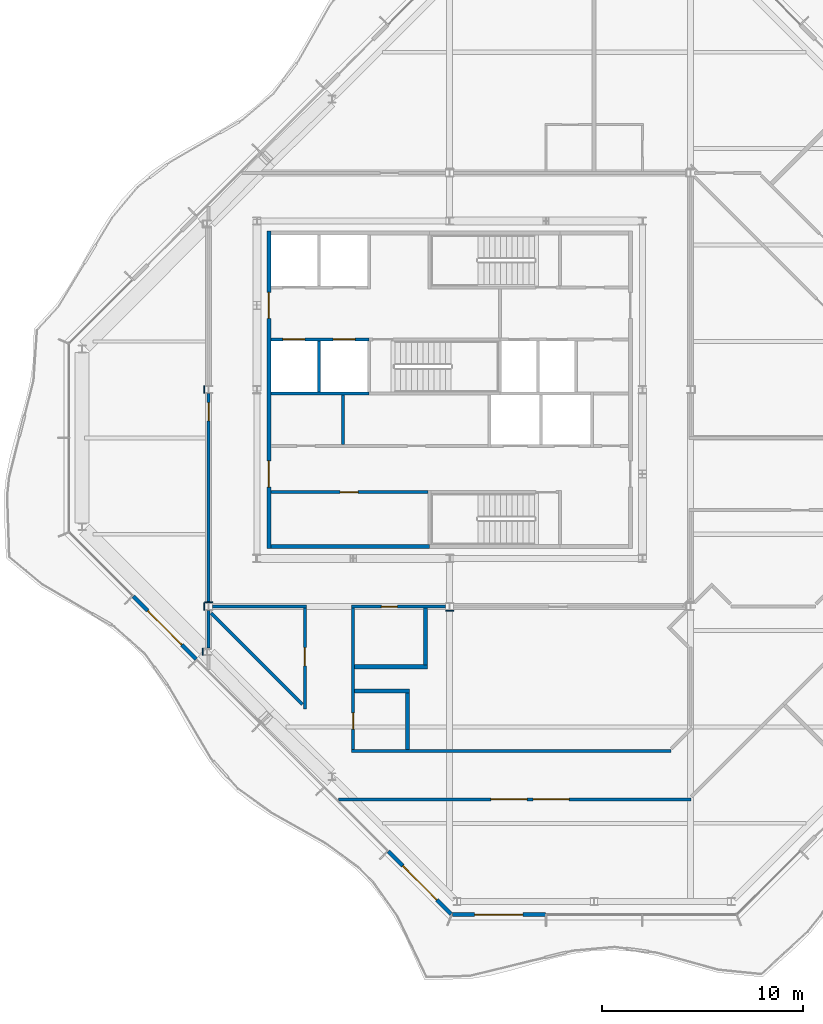
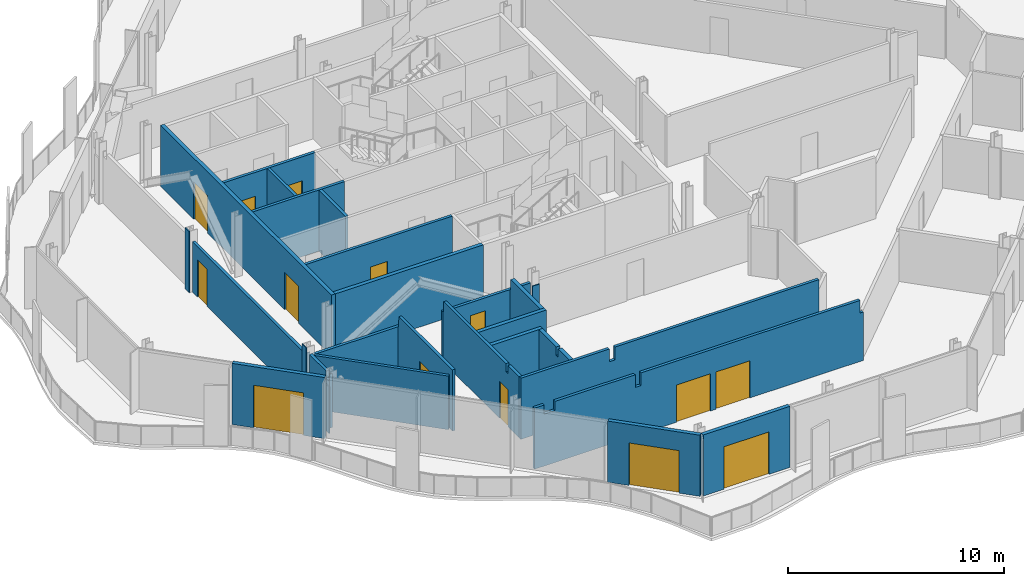
# One storey, part 7 of 16: 28 walls, 14 doors, 14 openings.
"""IFC4 building model written with IfcOpenShell, lengths in metres."""

from ifc_helpers import new_model, si_unit, direction, frame, frame_2d, origin, place, context, subcontext, project, spatial, polyline, rectangle, outline, extrude, material, layer, layer_set, type_object, element, fill, save


model = new_model("IFC4")

# Units and contexts
model_context = context("Model", 3, precision=1e-05, world=origin(), true_north=direction((0.0, 1.0)))
body_context = subcontext(model_context, "Body", "Model", "MODEL_VIEW")
ifc_project = project(units=[si_unit("LENGTHUNIT", "METRE"), si_unit("AREAUNIT", "SQUARE_METRE"), si_unit("VOLUMEUNIT", "CUBIC_METRE"), si_unit("PLANEANGLEUNIT", "RADIAN"), si_unit("MASSUNIT", "GRAM", prefix="KILO")], contexts=[model_context])

# Site, building, storey
site_placement = place(None, origin())
site = spatial("IfcSite", under=ifc_project, at=site_placement, CompositionType="ELEMENT")
building_placement = place(site_placement, origin())
building = spatial("IfcBuilding", under=site, at=building_placement, Name="Cairn Pilgrim Tower", CompositionType="ELEMENT")
storey_placement = place(building_placement, frame((0.0, 0.0, 288.60009765625)))
storey = spatial("IfcBuildingStorey", under=building, at=storey_placement, Name="L74", CompositionType="ELEMENT", Elevation=288.60009765625)

# Wall, opening, door
ifc_material_1 = material(Name="Bronze anodised aluminium insulated sandwich panel with mineral wool fill", Category="aluminium")
ifc_layer_1 = layer(ifc_material_1, 0.199951171875)
ifc_layer_set_1 = layer_set([ifc_layer_1], Name="BRONZE INFILL FRAME WALL 200")
wall_type_1 = type_object("IfcWallType", Name="BRONZE INFILL FRAME WALL 200", PredefinedType="NOTDEFINED", material=ifc_layer_set_1)
wall_1_placement = place(storey_placement, frame((7.343505859375, -23.75, 0.0), z_axis=(0.0, 0.0, 1.0), x_axis=(1.0, 0.0, 0.0)))
wall_1 = element("IfcWall", 1, at=wall_1_placement, inside=storey, type_object=wall_type_1, Name="Bronze infill frame wall IW-S1", PredefinedType="NOTDEFINED", context=body_context, shape_type="SweptSolid", body=[
    extrude(rectangle(XDim=4.62646484375, YDim=0.199951171875, at=frame_2d((2.313232421875, 0.0))), origin(), (0.0, 0.0, 1.0), 3.449951171875),
])
opening_1_placement = place(wall_1_placement, frame((1.1083984375, 0.0, 0.0)))
opening_1 = element("IfcOpeningElement", 2, at=opening_1_placement, cuts=wall_1, Name="Opening 7401B3", PredefinedType="OPENING", context=body_context, shape_type="SweptSolid", body=[
    extrude(rectangle(XDim=2.39990234375, YDim=2.39990234375, at=frame_2d((1.199951171875, 1.199951171875))), frame((0.0, 0.10986328125, 0.0), z_axis=(0.0, -1.0, 0.0), x_axis=(1.0, 0.0, 0.0)), (0.0, 0.0, 1.0), 0.219970703125),
])
ifc_material_2 = material(Name="Bronze anodised aluminium frame with tinted low-E glass", Category="aluminium")
door_type_1 = type_object("IfcDoorType", Name="BALCONY SLIDING DOOR 2400x2400", OperationType="DOUBLE_DOOR_SLIDING", PredefinedType="DOOR", material=ifc_material_2)
door_1_placement = place(opening_1_placement, origin())
door_1 = element("IfcDoor", 3, at=door_1_placement, inside=storey, type_object=door_type_1, Name="Balcony sliding door 7401B3", OperationType="SINGLE_SWING_LEFT", OverallHeight=2.39990234375, OverallWidth=2.39990234375, PredefinedType="DOOR", context=body_context, shape_type="SweptSolid", body=[
    extrude(rectangle(XDim=2.39990234375, YDim=2.39990234375, at=frame_2d((1.199951171875, 1.199951171875))), frame((0.0, 0.02490234375, 0.0), z_axis=(0.0, -1.0, 0.0), x_axis=(1.0, 0.0, 0.0)), (0.0, 0.0, 1.0), 0.050048828125),
])
fill(opening_1, door_1)

wall_2_placement = place(storey_placement, frame((-8.55322265625, -7.893310546875, 0.0), z_axis=(0.0, 0.0, 1.0), x_axis=(0.707134329907, -0.707079231393, 0.0)))
wall_2 = element("IfcWall", 4, at=wall_2_placement, inside=storey, type_object=wall_type_1, Name="Bronze infill frame wall IW-SW2", PredefinedType="NOTDEFINED", context=body_context, shape_type="SweptSolid", body=[
    extrude(rectangle(XDim=4.430908203125, YDim=0.199951171875, at=frame_2d((2.21533203125, 0.0))), origin(), (0.0, 0.0, 1.0), 3.449951171875),
])
opening_2_placement = place(wall_2_placement, frame((1.015380859375, 0.0, 0.0)))
opening_2 = element("IfcOpeningElement", 5, at=opening_2_placement, cuts=wall_2, Name="Opening 7408B2", PredefinedType="OPENING", context=body_context, shape_type="SweptSolid", body=[
    extrude(rectangle(XDim=2.39990234375, YDim=2.39990234375, at=frame_2d((1.199951171875, 1.199951171875))), frame((0.0, 0.10986328125, 0.0), z_axis=(0.0, -1.0, 0.0), x_axis=(1.0, 0.0, 0.0)), (0.0, 0.0, 1.0), 0.219970703125),
])
door_2_placement = place(opening_2_placement, origin())
door_2 = element("IfcDoor", 6, at=door_2_placement, inside=storey, type_object=door_type_1, Name="Balcony sliding door 7408B2", OperationType="SINGLE_SWING_LEFT", OverallHeight=2.39990234375, OverallWidth=2.39990234375, PredefinedType="DOOR", context=body_context, shape_type="SweptSolid", body=[
    extrude(rectangle(XDim=2.39990234375, YDim=2.39990234375, at=frame_2d((1.199951171875, 1.199951171875))), frame((0.0, 0.02490234375, 0.0), z_axis=(0.0, -1.0, 0.0), x_axis=(1.0, 0.0, 0.0)), (0.0, 0.0, 1.0), 0.050048828125),
])
fill(opening_2, door_2)

wall_3_placement = place(storey_placement, frame((4.149169921875, -20.595703125, 0.0), z_axis=(0.0, 0.0, 1.0), x_axis=(0.707134392299, -0.707079168996, 0.0)))
wall_3 = element("IfcWall", 7, at=wall_3_placement, inside=storey, type_object=wall_type_1, Name="Bronze infill frame wall IW-SW6", PredefinedType="NOTDEFINED", context=body_context, shape_type="SweptSolid", body=[
    extrude(rectangle(XDim=4.4208984375, YDim=0.199951171875, at=frame_2d((2.21044921875, 0.0))), origin(), (0.0, 0.0, 1.0), 3.449951171875),
])
opening_3_placement = place(wall_3_placement, frame((1.01513671875, 0.0, 0.0)))
opening_3 = element("IfcOpeningElement", 8, at=opening_3_placement, cuts=wall_3, Name="Opening 7401B", PredefinedType="OPENING", context=body_context, shape_type="SweptSolid", body=[
    extrude(rectangle(XDim=2.39990234375, YDim=2.39990234375, at=frame_2d((1.199951171875, 1.199951171875))), frame((0.0, 0.10986328125, 0.0), z_axis=(0.0, -1.0, 0.0), x_axis=(1.0, 0.0, 0.0)), (0.0, 0.0, 1.0), 0.219970703125),
])
door_3_placement = place(opening_3_placement, origin())
door_3 = element("IfcDoor", 9, at=door_3_placement, inside=storey, type_object=door_type_1, Name="Balcony sliding door 7401B", OperationType="SINGLE_SWING_LEFT", OverallHeight=2.39990234375, OverallWidth=2.39990234375, PredefinedType="DOOR", context=body_context, shape_type="SweptSolid", body=[
    extrude(rectangle(XDim=2.39990234375, YDim=2.39990234375, at=frame_2d((1.199951171875, 1.199951171875))), frame((0.0, 0.02490234375, 0.0), z_axis=(0.0, -1.0, 0.0), x_axis=(1.0, 0.0, 0.0)), (0.0, 0.0, 1.0), 0.050048828125),
])
fill(opening_3, door_3)

# Wall
ifc_material_3 = material(Name="Concrete C32/40", Category="concrete")
ifc_layer_2 = layer(ifc_material_3, 0.199951171875)
ifc_layer_set_2 = layer_set([ifc_layer_2], Name="CORE OUTER WALL 200 EI 120")
wall_type_2 = type_object("IfcWallType", Name="CORE OUTER WALL 200 EI 120", PredefinedType="SOLIDWALL", material=ifc_layer_set_2)
wall_4_placement = place(storey_placement, frame((-1.699951171875, -5.39990234375, 0.0), z_axis=(0.0, 0.0, 1.0), x_axis=(1.0, 0.0, 0.0)))
element("IfcWall", 10, at=wall_4_placement, inside=storey, type_object=wall_type_2, Name="CW:L74:H01-1", PredefinedType="SOLIDWALL", context=body_context, shape_type="SweptSolid", body=[
    extrude(rectangle(XDim=7.89990234375, YDim=0.199951171875, at=frame_2d((3.949951171875, 0.0))), origin(), (0.0, 0.0, 1.0), 3.449951171875),
])

# Wall, openings, doors
wall_5_placement = place(storey_placement, frame((-1.800048828125, -5.5, 0.0), z_axis=(0.0, 0.0, 1.0), x_axis=(0.0, 1.0, 0.0)))
wall_5 = element("IfcWall", 11, at=wall_5_placement, inside=storey, type_object=wall_type_2, Name="CW:L74:V13", PredefinedType="SOLIDWALL", context=body_context, shape_type="SweptSolid", body=[
    extrude(rectangle(XDim=15.800048828125, YDim=0.199951171875, at=frame_2d((7.89990234375, 0.0))), origin(), (0.0, 0.0, 1.0), 3.449951171875),
])
opening_4_placement = place(wall_5_placement, frame((3.050048828125, 0.0, 0.0)))
opening_4 = element("IfcOpeningElement", 12, at=opening_4_placement, cuts=wall_5, Name="Opening CD-W1", PredefinedType="OPENING", context=body_context, shape_type="SweptSolid", body=[
    extrude(rectangle(XDim=1.300048828125, YDim=2.10009765625, at=frame_2d((0.64990234375, 1.050048828125))), frame((0.0, 0.10986328125, 0.0), z_axis=(0.0, -1.0, 0.0), x_axis=(1.0, 0.0, 0.0)), (0.0, 0.0, 1.0), 0.219970703125),
])
opening_5_placement = place(wall_5_placement, frame((11.449951171875, 0.0, 0.0)))
opening_5 = element("IfcOpeningElement", 13, at=opening_5_placement, cuts=wall_5, Name="Opening CD-W2", PredefinedType="OPENING", context=body_context, shape_type="SweptSolid", body=[
    extrude(rectangle(XDim=1.300048828125, YDim=2.10009765625, at=frame_2d((0.64990234375, 1.050048828125))), frame((0.0, 0.10986328125, 0.0), z_axis=(0.0, -1.0, 0.0), x_axis=(1.0, 0.0, 0.0)), (0.0, 0.0, 1.0), 0.219970703125),
])
ifc_material_4 = material(Name="Painted steel", Category="steel")
door_type_2 = type_object("IfcDoorType", Name="CORE LOBBY DOOR 1300x2100", OperationType="DOUBLE_DOOR_SINGLE_SWING", PredefinedType="DOOR", material=ifc_material_4)
door_4_placement = place(opening_4_placement, origin())
door_4 = element("IfcDoor", 14, at=door_4_placement, inside=storey, type_object=door_type_2, Name="CD-W1", OperationType="DOUBLE_DOOR_SINGLE_SWING", OverallHeight=2.10009765625, OverallWidth=1.300048828125, PredefinedType="DOOR", context=body_context, shape_type="SweptSolid", body=[
    extrude(rectangle(XDim=1.300048828125, YDim=2.10009765625, at=frame_2d((0.64990234375, 1.050048828125))), frame((0.0, 0.02490234375, 0.0), z_axis=(0.0, -1.0, 0.0), x_axis=(1.0, 0.0, 0.0)), (0.0, 0.0, 1.0), 0.050048828125),
])
fill(opening_4, door_4)
door_5_placement = place(opening_5_placement, origin())
door_5 = element("IfcDoor", 15, at=door_5_placement, inside=storey, type_object=door_type_2, Name="CD-W2", OperationType="DOUBLE_DOOR_SINGLE_SWING", OverallHeight=2.10009765625, OverallWidth=1.300048828125, PredefinedType="DOOR", context=body_context, shape_type="SweptSolid", body=[
    extrude(rectangle(XDim=1.300048828125, YDim=2.10009765625, at=frame_2d((0.64990234375, 1.050048828125))), frame((0.0, 0.02490234375, 0.0), z_axis=(0.0, -1.0, 0.0), x_axis=(1.0, 0.0, 0.0)), (0.0, 0.0, 1.0), 0.050048828125),
])
fill(opening_5, door_5)

# Wall, opening, door
ifc_layer_3 = layer(ifc_material_3, 0.14990234375)
ifc_layer_set_3 = layer_set([ifc_layer_3], Name="CORE PARTITION 150 EI 60")
wall_type_3 = type_object("IfcWallType", Name="CORE PARTITION 150 EI 60", PredefinedType="PARTITIONING", material=ifc_layer_set_3)
wall_6_placement = place(storey_placement, frame((-1.699951171875, -2.699951171875, 0.0), z_axis=(0.0, 0.0, 1.0), x_axis=(1.0, 0.0, 0.0)))
wall_6 = element("IfcWall", 16, at=wall_6_placement, inside=storey, type_object=wall_type_3, Name="CW:L74:H02", PredefinedType="PARTITIONING", context=body_context, shape_type="SweptSolid", body=[
    extrude(rectangle(XDim=7.824951171875, YDim=0.14990234375, at=frame_2d((3.91259765625, 0.0))), origin(), (0.0, 0.0, 1.0), 3.449951171875),
])
opening_6_placement = place(wall_6_placement, frame((3.449951171875, 0.0, 0.0)))
opening_6 = element("IfcOpeningElement", 17, at=opening_6_placement, cuts=wall_6, Name="Opening RD-R1W1", PredefinedType="OPENING", context=body_context, shape_type="SweptSolid", body=[
    extrude(rectangle(XDim=0.89990234375, YDim=2.10009765625, at=frame_2d((0.449951171875, 1.050048828125))), frame((0.0, 0.0849609375, 0.0), z_axis=(0.0, -1.0, 0.0), x_axis=(1.0, 0.0, 0.0)), (0.0, 0.0, 1.0), 0.169921875),
])
door_type_3 = type_object("IfcDoorType", Name="SERVICE ROOM DOOR 900x2100", OperationType="SINGLE_SWING_LEFT", PredefinedType="DOOR", material=ifc_material_4)
door_6_placement = place(opening_6_placement, origin())
door_6 = element("IfcDoor", 18, at=door_6_placement, inside=storey, type_object=door_type_3, Name="RD-R1W1", OperationType="SINGLE_SWING_LEFT", OverallHeight=2.10009765625, OverallWidth=0.89990234375, PredefinedType="DOOR", context=body_context, shape_type="SweptSolid", body=[
    extrude(rectangle(XDim=0.89990234375, YDim=2.10009765625, at=frame_2d((0.449951171875, 1.050048828125))), frame((0.0, 0.02490234375, 0.0), z_axis=(0.0, -1.0, 0.0), x_axis=(1.0, 0.0, 0.0)), (0.0, 0.0, 1.0), 0.050048828125),
])
fill(opening_6, door_6)

# Walls
wall_7_placement = place(storey_placement, frame((1.89990234375, -0.324951171875, 0.0), z_axis=(0.0, 0.0, 1.0), x_axis=(0.0, 1.0, 0.0)))
element("IfcWall", 19, at=wall_7_placement, inside=storey, type_object=wall_type_3, Name="CW:L74:V16", PredefinedType="PARTITIONING", context=body_context, shape_type="SweptSolid", body=[
    extrude(rectangle(XDim=2.449951171875, YDim=0.14990234375, at=frame_2d((1.22509765625, 0.0))), origin(), (0.0, 0.0, 1.0), 3.449951171875),
])
ifc_layer_4 = layer(ifc_material_3, 0.14990234375)
ifc_layer_set_4 = layer_set([ifc_layer_4], Name="CORE SHAFT WALL 150 EI 120")
wall_type_4 = type_object("IfcWallType", Name="CORE SHAFT WALL 150 EI 120", PredefinedType="SOLIDWALL", material=ifc_layer_set_4)
wall_8_placement = place(storey_placement, frame((-1.699951171875, 2.199951171875, 0.0), z_axis=(0.0, 0.0, 1.0), x_axis=(1.0, 0.0, 0.0)))
element("IfcWall", 20, at=wall_8_placement, inside=storey, type_object=wall_type_4, Name="CW:L74:H07-1", PredefinedType="SOLIDWALL", context=body_context, shape_type="SweptSolid", body=[
    extrude(rectangle(XDim=4.89990234375, YDim=0.14990234375, at=frame_2d((2.449951171875, 0.0))), origin(), (0.0, 0.0, 1.0), 3.449951171875),
])

# Wall, openings, doors
wall_9_placement = place(storey_placement, frame((-1.699951171875, 4.89990234375, 0.0), z_axis=(0.0, 0.0, 1.0), x_axis=(1.0, 0.0, 0.0)))
wall_9 = element("IfcWall", 21, at=wall_9_placement, inside=storey, type_object=wall_type_4, Name="CW:L74:H09-1", PredefinedType="SOLIDWALL", context=body_context, shape_type="SweptSolid", body=[
    extrude(rectangle(XDim=4.89990234375, YDim=0.14990234375, at=frame_2d((2.449951171875, 0.0))), origin(), (0.0, 0.0, 1.0), 3.449951171875),
])
opening_7_placement = place(wall_9_placement, frame((0.60009765625, 0.0, 0.0)))
opening_7 = element("IfcOpeningElement", 22, at=opening_7_placement, cuts=wall_9, Name="Opening LD-HR1", PredefinedType="OPENING", context=body_context, shape_type="SweptSolid", body=[
    extrude(rectangle(XDim=1.10009765625, YDim=2.10009765625, at=frame_2d((0.550048828125, 1.050048828125))), frame((0.0, 0.0849609375, 0.0), z_axis=(0.0, -1.0, 0.0), x_axis=(1.0, 0.0, 0.0)), (0.0, 0.0, 1.0), 0.169921875),
])
opening_8_placement = place(wall_9_placement, frame((3.10009765625, 0.0, 0.0)))
opening_8 = element("IfcOpeningElement", 23, at=opening_8_placement, cuts=wall_9, Name="Opening LD-HR2", PredefinedType="OPENING", context=body_context, shape_type="SweptSolid", body=[
    extrude(rectangle(XDim=1.10009765625, YDim=2.10009765625, at=frame_2d((0.550048828125, 1.050048828125))), frame((0.0, 0.0849609375, 0.0), z_axis=(0.0, -1.0, 0.0), x_axis=(1.0, 0.0, 0.0)), (0.0, 0.0, 1.0), 0.169921875),
])
ifc_material_5 = material(Name="Stainless steel", Category="steel")
door_type_4 = type_object("IfcDoorType", Name="LIFT LANDING DOOR 1100x2100", OperationType="DOUBLE_DOOR_SLIDING", PredefinedType="DOOR", material=ifc_material_5)
door_7_placement = place(opening_7_placement, origin())
door_7 = element("IfcDoor", 24, at=door_7_placement, inside=storey, type_object=door_type_4, Name="LANDING DOOR HR1", OperationType="DOUBLE_DOOR_SLIDING", OverallHeight=2.10009765625, OverallWidth=1.10009765625, PredefinedType="DOOR", context=body_context, shape_type="SweptSolid", body=[
    extrude(rectangle(XDim=1.10009765625, YDim=2.10009765625, at=frame_2d((0.550048828125, 1.050048828125))), frame((0.0, 0.02490234375, 0.0), z_axis=(0.0, -1.0, 0.0), x_axis=(1.0, 0.0, 0.0)), (0.0, 0.0, 1.0), 0.050048828125),
])
fill(opening_7, door_7)
door_8_placement = place(opening_8_placement, origin())
door_8 = element("IfcDoor", 25, at=door_8_placement, inside=storey, type_object=door_type_4, Name="LANDING DOOR HR2", OperationType="DOUBLE_DOOR_SLIDING", OverallHeight=2.10009765625, OverallWidth=1.10009765625, PredefinedType="DOOR", context=body_context, shape_type="SweptSolid", body=[
    extrude(rectangle(XDim=1.10009765625, YDim=2.10009765625, at=frame_2d((0.550048828125, 1.050048828125))), frame((0.0, 0.02490234375, 0.0), z_axis=(0.0, -1.0, 0.0), x_axis=(1.0, 0.0, 0.0)), (0.0, 0.0, 1.0), 0.050048828125),
])
fill(opening_8, door_8)

# Wall
wall_10_placement = place(storey_placement, frame((0.699951171875, 2.27490234375, 0.0), z_axis=(0.0, 0.0, 1.0), x_axis=(0.0, 1.0, 0.0)))
element("IfcWall", 26, at=wall_10_placement, inside=storey, type_object=wall_type_4, Name="CW:L74:V14", PredefinedType="SOLIDWALL", context=body_context, shape_type="SweptSolid", body=[
    extrude(rectangle(XDim=2.550048828125, YDim=0.14990234375, at=frame_2d((1.27490234375, 0.0))), origin(), (0.0, 0.0, 1.0), 3.449951171875),
])

# Wall, openings, doors
ifc_material_6 = material(Name="Gypsum partition")
ifc_layer_5 = layer(ifc_material_6, 0.14990234375)
ifc_layer_set_5 = layer_set([ifc_layer_5], Name="PARTITION 150 DRYWALL EI 60")
wall_type_5 = type_object("IfcWallType", Name="PARTITION 150 DRYWALL EI 60", PredefinedType="PARTITIONING", material=ifc_layer_set_5)
wall_11_placement = place(storey_placement, frame((1.673828125, -18.0, 0.0), z_axis=(0.0, 0.0, 1.0), x_axis=(1.0, 0.0, 0.0)))
wall_11 = element("IfcWall", 27, at=wall_11_placement, inside=storey, type_object=wall_type_5, Name="PARTITION W001", PredefinedType="PARTITIONING", context=body_context, shape_type="SweptSolid", body=[
    extrude(outline(polyline([(0.0, 0.0), (17.54736328125, 0.0), (17.547119140625, 2.72998046875), (17.376220703125, 2.72998046875), (17.3740234375, 3.449951171875), (5.676025390625, 3.449951171875), (5.674072265625, 2.72998046875), (5.376220703125, 2.72998046875), (5.3740234375, 3.449951171875), (1.0859375, 3.449951171875), (1.083984375, 2.929931640625), (0.51171875, 2.929931640625), (0.509765625, 3.449951171875), (0.0, 3.449951171875), (0.0, 0.0)])), frame((0.0, 0.074951171875, 0.0), z_axis=(0.0, -1.0, 0.0), x_axis=(1.0, 0.0, 0.0)), (0.0, 0.0, 1.0), 0.14990234375),
])
opening_9_placement = place(wall_11_placement, frame((7.583984375, 0.0, 0.0)))
opening_9 = element("IfcOpeningElement", 28, at=opening_9_placement, cuts=wall_11, Name="Opening 7401", PredefinedType="OPENING", context=body_context, shape_type="SweptSolid", body=[
    extrude(rectangle(XDim=1.800048828125, YDim=2.10009765625, at=frame_2d((0.89990234375, 1.050048828125))), frame((0.0, 0.0849609375, 0.0), z_axis=(0.0, -1.0, 0.0), x_axis=(1.0, 0.0, 0.0)), (0.0, 0.0, 1.0), 0.169921875),
])
opening_10_placement = place(wall_11_placement, frame((9.68408203125, 0.0, 0.0)))
opening_10 = element("IfcOpeningElement", 29, at=opening_10_placement, cuts=wall_11, Name="Opening 7401A", PredefinedType="OPENING", context=body_context, shape_type="SweptSolid", body=[
    extrude(rectangle(XDim=1.800048828125, YDim=2.10009765625, at=frame_2d((0.89990234375, 1.050048828125))), frame((0.0, 0.0849609375, 0.0), z_axis=(0.0, -1.0, 0.0), x_axis=(1.0, 0.0, 0.0)), (0.0, 0.0, 1.0), 0.169921875),
])
ifc_material_7 = material(Name="Timber door leaf", Category="wood")
door_type_5 = type_object("IfcDoorType", Name="DOOR PAIR 1800x2100 FD60S", OperationType="NOTDEFINED", PredefinedType="DOOR", material=ifc_material_7)
door_9_placement = place(opening_9_placement, frame((1.800048828125, 0.0, 0.0), z_axis=(0.0, 0.0, 1.0), x_axis=(-1.0, 0.0, 0.0)))
door_9 = element("IfcDoor", 30, at=door_9_placement, inside=storey, type_object=door_type_5, Name="DOOR 7401", OperationType="DOUBLE_DOOR_SINGLE_SWING", OverallHeight=2.10009765625, OverallWidth=1.800048828125, PredefinedType="DOOR", context=body_context, shape_type="SweptSolid", body=[
    extrude(rectangle(XDim=1.800048828125, YDim=2.10009765625, at=frame_2d((0.89990234375, 1.050048828125))), frame((0.0, 0.02490234375, 0.0), z_axis=(0.0, -1.0, 0.0), x_axis=(1.0, 0.0, 0.0)), (0.0, 0.0, 1.0), 0.050048828125),
])
fill(opening_9, door_9)
door_10_placement = place(opening_10_placement, frame((1.800048828125, 0.0, 0.0), z_axis=(0.0, 0.0, 1.0), x_axis=(-1.0, 0.0, 0.0)))
door_10 = element("IfcDoor", 31, at=door_10_placement, inside=storey, type_object=door_type_5, Name="DOOR 7401A", OperationType="DOUBLE_DOOR_SINGLE_SWING", OverallHeight=2.10009765625, OverallWidth=1.800048828125, PredefinedType="DOOR", context=body_context, shape_type="SweptSolid", body=[
    extrude(rectangle(XDim=1.800048828125, YDim=2.10009765625, at=frame_2d((0.89990234375, 1.050048828125))), frame((0.0, 0.02490234375, 0.0), z_axis=(0.0, -1.0, 0.0), x_axis=(1.0, 0.0, 0.0)), (0.0, 0.0, 1.0), 0.050048828125),
])
fill(opening_10, door_10)

# Wall
wall_12_placement = place(storey_placement, frame((2.324951171875, -15.60009765625, 0.0), z_axis=(0.0, 0.0, 1.0), x_axis=(1.0, 0.0, 0.0)))
element("IfcWall", 32, at=wall_12_placement, inside=storey, type_object=wall_type_5, Name="PARTITION W005", PredefinedType="PARTITIONING", context=body_context, shape_type="SweptSolid", body=[
    extrude(outline(polyline([(0.0, 0.0), (15.902099609375, 0.0), (15.902099609375, 3.449951171875), (5.02490234375, 3.449951171875), (5.02294921875, 2.72998046875), (4.72509765625, 2.72998046875), (4.722900390625, 3.449951171875), (0.0, 3.449951171875), (0.0, 0.0)])), frame((0.0, 0.074951171875, 0.0), z_axis=(0.0, -1.0, 0.0), x_axis=(1.0, 0.0, 0.0)), (0.0, 0.0, 1.0), 0.14990234375),
])

# Wall, opening, door
wall_13_placement = place(storey_placement, frame((2.39990234375, -15.52490234375, 0.0), z_axis=(0.0, 0.0, 1.0), x_axis=(0.0, 1.0, 0.0)))
wall_13 = element("IfcWall", 33, at=wall_13_placement, inside=storey, type_object=wall_type_5, Name="PARTITION W006", PredefinedType="PARTITIONING", context=body_context, shape_type="SweptSolid", body=[
    extrude(outline(polyline([(0.0, 0.0), (7.0498046875, 0.0), (7.050048828125, 2.829833984375), (6.97509765625, 2.829833984375), (6.972900390625, 3.449951171875), (1.219970703125, 3.449951171875), (1.218017578125, 2.97998046875), (1.030029296875, 2.97998046875), (1.028076171875, 3.449951171875), (0.0, 3.449951171875), (0.0, 0.0)])), frame((0.0, 0.074951171875, 0.0), z_axis=(0.0, -1.0, 0.0), x_axis=(1.0, 0.0, 0.0)), (0.0, 0.0, 1.0), 0.14990234375),
])
opening_11_placement = place(wall_13_placement, frame((1.02490234375, 0.0, 0.0)))
opening_11 = element("IfcOpeningElement", 34, at=opening_11_placement, cuts=wall_13, Name="Opening 7410", PredefinedType="OPENING", context=body_context, shape_type="SweptSolid", body=[
    extrude(rectangle(XDim=0.800048828125, YDim=2.10009765625, at=frame_2d((0.39990234375, 1.050048828125))), frame((0.0, 0.0849609375, 0.0), z_axis=(0.0, -1.0, 0.0), x_axis=(1.0, 0.0, 0.0)), (0.0, 0.0, 1.0), 0.169921875),
])
door_type_6 = type_object("IfcDoorType", Name="WC DOOR 800x2100 FD30S", OperationType="NOTDEFINED", PredefinedType="DOOR", material=ifc_material_7)
door_11_placement = place(opening_11_placement, frame((0.800048828125, 0.0, 0.0), z_axis=(0.0, 0.0, 1.0), x_axis=(-1.0, 0.0, 0.0)))
door_11 = element("IfcDoor", 35, at=door_11_placement, inside=storey, type_object=door_type_6, Name="DOOR 7410", OperationType="SINGLE_SWING_RIGHT", OverallHeight=2.10009765625, OverallWidth=0.800048828125, PredefinedType="DOOR", context=body_context, shape_type="SweptSolid", body=[
    extrude(rectangle(XDim=0.800048828125, YDim=2.10009765625, at=frame_2d((0.39990234375, 1.050048828125))), frame((0.0, 0.02490234375, 0.0), z_axis=(0.0, -1.0, 0.0), x_axis=(1.0, 0.0, 0.0)), (0.0, 0.0, 1.0), 0.050048828125),
])
fill(opening_11, door_11)

wall_14_placement = place(storey_placement, frame((0.0, -13.51220703125, 0.0), z_axis=(0.0, 0.0, 1.0), x_axis=(0.0, 1.0, 0.0)))
wall_14 = element("IfcWall", 36, at=wall_14_placement, inside=storey, type_object=wall_type_5, Name="PARTITION W010", PredefinedType="PARTITIONING", context=body_context, shape_type="SweptSolid", body=[
    extrude(outline(polyline([(0.0, 0.0), (5.037109375, 0.0), (5.037109375, 2.829833984375), (4.962158203125, 2.829833984375), (4.960205078125, 3.449951171875), (0.0, 3.449951171875), (0.0, 0.0)])), frame((0.0, 0.074951171875, 0.0), z_axis=(0.0, -1.0, 0.0), x_axis=(1.0, 0.0, 0.0)), (0.0, 0.0, 1.0), 0.14990234375),
])
opening_12_placement = place(wall_14_placement, frame((2.1591796875, 0.0, 0.0)))
opening_12 = element("IfcOpeningElement", 37, at=opening_12_placement, cuts=wall_14, Name="Opening 7413", PredefinedType="OPENING", context=body_context, shape_type="SweptSolid", body=[
    extrude(rectangle(XDim=0.89990234375, YDim=2.10009765625, at=frame_2d((0.449951171875, 1.050048828125))), frame((0.0, 0.0849609375, 0.0), z_axis=(0.0, -1.0, 0.0), x_axis=(1.0, 0.0, 0.0)), (0.0, 0.0, 1.0), 0.169921875),
])
door_type_7 = type_object("IfcDoorType", Name="SERVICE DOOR 900x2100 FD30S", OperationType="NOTDEFINED", PredefinedType="DOOR", material=ifc_material_7)
door_12_placement = place(opening_12_placement, origin())
door_12 = element("IfcDoor", 38, at=door_12_placement, inside=storey, type_object=door_type_7, Name="DOOR 7413", OperationType="SINGLE_SWING_RIGHT", OverallHeight=2.10009765625, OverallWidth=0.89990234375, PredefinedType="DOOR", context=body_context, shape_type="SweptSolid", body=[
    extrude(rectangle(XDim=0.89990234375, YDim=2.10009765625, at=frame_2d((0.449951171875, 1.050048828125))), frame((0.0, 0.02490234375, 0.0), z_axis=(0.0, -1.0, 0.0), x_axis=(1.0, 0.0, 0.0)), (0.0, 0.0, 1.0), 0.050048828125),
])
fill(opening_12, door_12)

# Walls
wall_15_placement = place(storey_placement, frame((-0.1279296875, -13.278076171875, 0.0), z_axis=(0.0, 0.0, 1.0), x_axis=(-0.707106781187, 0.707106781187, 0.0)))
element("IfcWall", 39, at=wall_15_placement, inside=storey, type_object=wall_type_5, Name="PARTITION W011", PredefinedType="PARTITIONING", context=body_context, shape_type="SweptSolid", body=[
    extrude(rectangle(XDim=6.426513671875, YDim=0.14990234375, at=frame_2d((3.21337890625, 0.0))), origin(), (0.0, 0.0, 1.0), 3.02978515625),
])
wall_16_placement = place(storey_placement, frame((-4.800048828125, -10.467529296875, 0.0), z_axis=(0.0, 0.0, 1.0), x_axis=(0.0, 1.0, 0.0)))
element("IfcWall", 40, at=wall_16_placement, inside=storey, type_object=wall_type_5, Name="PARTITION W018", PredefinedType="PARTITIONING", context=body_context, shape_type="SweptSolid", body=[
    extrude(outline(polyline([(0.0, 0.0), (1.861572265625, 0.0), (1.861572265625, 3.02978515625), (0.310302734375, 3.02978515625), (0.30810546875, 2.6298828125), (0.065673828125, 2.6298828125), (0.063720703125, 3.02978515625), (0.0, 3.02978515625), (0.0, 0.0)])), frame((0.0, 0.074951171875, 0.0), z_axis=(0.0, -1.0, 0.0), x_axis=(1.0, 0.0, 0.0)), (0.0, 0.0, 1.0), 0.14990234375),
])
wall_17_placement = place(storey_placement, frame((-4.60302734375, -8.39990234375, 0.0), z_axis=(0.0, 0.0, 1.0), x_axis=(1.0, 0.0, 0.0)))
element("IfcWall", 41, at=wall_17_placement, inside=storey, type_object=wall_type_5, Name="PARTITION W022", PredefinedType="PARTITIONING", context=body_context, shape_type="SweptSolid", body=[
    extrude(rectangle(XDim=4.677978515625, YDim=0.14990234375, at=frame_2d((2.3388671875, 0.0))), origin(), (0.0, 0.0, 1.0), 2.829833984375),
])

# Wall, opening, door
wall_18_placement = place(storey_placement, frame((2.324951171875, -8.39990234375, 0.0), z_axis=(0.0, 0.0, 1.0), x_axis=(1.0, 0.0, 0.0)))
wall_18 = element("IfcWall", 42, at=wall_18_placement, inside=storey, type_object=wall_type_5, Name="PARTITION W023", PredefinedType="PARTITIONING", context=body_context, shape_type="SweptSolid", body=[
    extrude(rectangle(XDim=4.677978515625, YDim=0.14990234375, at=frame_2d((2.3388671875, 0.0))), origin(), (0.0, 0.0, 1.0), 2.829833984375),
])
opening_13_placement = place(wall_18_placement, frame((1.47509765625, 0.0, 0.0)))
opening_13 = element("IfcOpeningElement", 43, at=opening_13_placement, cuts=wall_18, Name="Opening 7409", PredefinedType="OPENING", context=body_context, shape_type="SweptSolid", body=[
    extrude(rectangle(XDim=0.800048828125, YDim=2.10009765625, at=frame_2d((0.39990234375, 1.050048828125))), frame((0.0, 0.0849609375, 0.0), z_axis=(0.0, -1.0, 0.0), x_axis=(1.0, 0.0, 0.0)), (0.0, 0.0, 1.0), 0.169921875),
])
door_13_placement = place(opening_13_placement, frame((0.800048828125, 0.0, 0.0), z_axis=(0.0, 0.0, 1.0), x_axis=(-1.0, 0.0, 0.0)))
door_13 = element("IfcDoor", 44, at=door_13_placement, inside=storey, type_object=door_type_6, Name="DOOR 7409", OperationType="SINGLE_SWING_LEFT", OverallHeight=2.10009765625, OverallWidth=0.800048828125, PredefinedType="DOOR", context=body_context, shape_type="SweptSolid", body=[
    extrude(rectangle(XDim=0.800048828125, YDim=2.10009765625, at=frame_2d((0.39990234375, 1.050048828125))), frame((0.0, 0.02490234375, 0.0), z_axis=(0.0, -1.0, 0.0), x_axis=(1.0, 0.0, 0.0)), (0.0, 0.0, 1.0), 0.050048828125),
])
fill(opening_13, door_13)

wall_19_placement = place(storey_placement, frame((-4.800048828125, -8.21240234375, 0.0), z_axis=(0.0, 0.0, 1.0), x_axis=(0.0, 1.0, 0.0)))
wall_19 = element("IfcWall", 45, at=wall_19_placement, inside=storey, type_object=wall_type_5, Name="PARTITION W028", PredefinedType="PARTITIONING", context=body_context, shape_type="SweptSolid", body=[
    extrude(rectangle(XDim=10.4248046875, YDim=0.14990234375, at=frame_2d((5.21240234375, 0.0))), origin(), (0.0, 0.0, 1.0), 2.829833984375),
])
opening_14_placement = place(wall_19_placement, frame((9.0625, 0.0, 0.0)))
opening_14 = element("IfcOpeningElement", 46, at=opening_14_placement, cuts=wall_19, Name="Opening 7408", PredefinedType="OPENING", context=body_context, shape_type="SweptSolid", body=[
    extrude(rectangle(XDim=0.89990234375, YDim=2.10009765625, at=frame_2d((0.449951171875, 1.050048828125))), frame((0.0, 0.0849609375, 0.0), z_axis=(0.0, -1.0, 0.0), x_axis=(1.0, 0.0, 0.0)), (0.0, 0.0, 1.0), 0.169921875),
])
door_type_8 = type_object("IfcDoorType", Name="ROOM DOOR 900x2100 FD30S", OperationType="NOTDEFINED", PredefinedType="DOOR", material=ifc_material_7)
door_14_placement = place(opening_14_placement, origin())
door_14 = element("IfcDoor", 47, at=door_14_placement, inside=storey, type_object=door_type_8, Name="DOOR 7408", OperationType="SINGLE_SWING_LEFT", OverallHeight=2.10009765625, OverallWidth=0.89990234375, PredefinedType="DOOR", context=body_context, shape_type="SweptSolid", body=[
    extrude(rectangle(XDim=0.89990234375, YDim=2.10009765625, at=frame_2d((0.449951171875, 1.050048828125))), frame((0.0, 0.02490234375, 0.0), z_axis=(0.0, -1.0, 0.0), x_axis=(1.0, 0.0, 0.0)), (0.0, 0.0, 1.0), 0.050048828125),
])
fill(opening_14, door_14)

# Walls
ifc_layer_6 = layer(ifc_material_6, 0.050048828125)
ifc_layer_set_6 = layer_set([ifc_layer_6], Name="PARTITION 50 DRYWALL EI 60")
wall_type_6 = type_object("IfcWallType", Name="PARTITION 50 DRYWALL EI 60", PredefinedType="PARTITIONING", material=ifc_layer_set_6)
wall_20_placement = place(storey_placement, frame((-5.09619140625, -10.83544921875, 0.0), z_axis=(0.0, 0.0, 1.0), x_axis=(0.0, 1.0, 0.0)))
element("IfcWall", 48, at=wall_20_placement, inside=storey, type_object=wall_type_6, Name="COLUMN CASING WC03", PredefinedType="PARTITIONING", context=body_context, shape_type="SweptSolid", body=[
    extrude(rectangle(XDim=0.367919921875, YDim=0.050048828125, at=frame_2d((0.18408203125, 0.0))), origin(), (0.0, 0.0, 1.0), 2.6298828125),
])
for number, where, z_axis, x_axis, name in (
    (49, (-5.02197265625, -8.58740234375, 0.0), (0.0, 0.0, 1.0), (0.0, 1.0, 0.0), "COLUMN CASING WC05"),
    (50, (-5.02197265625, 2.21240234375, 0.0), (0.0, 0.0, 1.0), (0.0, 1.0, 0.0), "COLUMN CASING WC06"),
):
    element("IfcWall", number, at=place(storey_placement, frame(where, z_axis=z_axis, x_axis=x_axis)), inside=storey, type_object=wall_type_6, Name=name, PredefinedType="PARTITIONING", context=body_context, shape_type="SweptSolid", body=[
        extrude(rectangle(XDim=0.375, YDim=0.050048828125, at=frame_2d((0.1875, 0.0))), origin(), (0.0, 0.0, 1.0), 3.449951171875),
    ])
wall_21_placement = place(storey_placement, frame((-4.9970703125, -8.1875, 0.0), z_axis=(0.0, 0.0, 1.0), x_axis=(1.0, 0.0, 0.0)))
element("IfcWall", 51, at=wall_21_placement, inside=storey, type_object=wall_type_6, Name="COLUMN CASING WC08", PredefinedType="PARTITIONING", context=body_context, shape_type="SweptSolid", body=[
    extrude(rectangle(XDim=0.39404296875, YDim=0.050048828125, at=frame_2d((0.197021484375, 0.0))), origin(), (0.0, 0.0, 1.0), 2.829833984375),
])
wall_22_placement = place(storey_placement, frame((7.0029296875, -8.612548828125, 0.0), z_axis=(0.0, 0.0, 1.0), x_axis=(1.0, 0.0, 0.0)))
element("IfcWall", 52, at=wall_22_placement, inside=storey, type_object=wall_type_6, Name="COLUMN CASING WC09", PredefinedType="PARTITIONING", context=body_context, shape_type="SweptSolid", body=[
    extrude(rectangle(XDim=0.39404296875, YDim=0.050048828125, at=frame_2d((0.197021484375, 0.0))), origin(), (0.0, 0.0, 1.0), 2.72998046875),
])
ifc_layer_7 = layer(ifc_material_6, 0.199951171875)
ifc_layer_set_7 = layer_set([ifc_layer_7], Name="SHAFT WALL 200 GYPSUM EI 60")
wall_type_7 = type_object("IfcWallType", Name="SHAFT WALL 200 GYPSUM EI 60", PredefinedType="PARTITIONING", material=ifc_layer_set_7)
wall_23_placement = place(storey_placement, frame((5.10009765625, -15.52490234375, 0.0), z_axis=(0.0, 0.0, 1.0), x_axis=(0.0, 1.0, 0.0)))
element("IfcWall", 53, at=wall_23_placement, inside=storey, type_object=wall_type_7, Name="PARTITION W007", PredefinedType="PARTITIONING", context=body_context, shape_type="SweptSolid", body=[
    extrude(outline(polyline([(0.0, 0.0), (2.824951171875, 0.0), (2.824951171875, 3.449951171875), (1.219970703125, 3.449951171875), (1.218017578125, 2.97998046875), (1.030029296875, 2.97998046875), (1.028076171875, 3.449951171875), (0.0, 3.449951171875), (0.0, 0.0)])), frame((0.0, 0.10009765625, 0.0), z_axis=(0.0, -1.0, 0.0), x_axis=(1.0, 0.0, 0.0)), (0.0, 0.0, 1.0), 0.199951171875),
])
wall_24_placement = place(storey_placement, frame((2.47509765625, -12.60009765625, 0.0), z_axis=(0.0, 0.0, 1.0), x_axis=(1.0, 0.0, 0.0)))
element("IfcWall", 54, at=wall_24_placement, inside=storey, type_object=wall_type_7, Name="PARTITION W013", PredefinedType="PARTITIONING", context=body_context, shape_type="SweptSolid", body=[
    extrude(rectangle(XDim=2.724853515625, YDim=0.199951171875, at=frame_2d((1.3623046875, 0.0))), origin(), (0.0, 0.0, 1.0), 3.449951171875),
])
wall_25_placement = place(storey_placement, frame((2.47509765625, -11.39990234375, 0.0), z_axis=(0.0, 0.0, 1.0), x_axis=(1.0, 0.0, 0.0)))
element("IfcWall", 55, at=wall_25_placement, inside=storey, type_object=wall_type_7, Name="PARTITION W016", PredefinedType="PARTITIONING", context=body_context, shape_type="SweptSolid", body=[
    extrude(rectangle(XDim=3.625, YDim=0.199951171875, at=frame_2d((1.8125, 0.0))), origin(), (0.0, 0.0, 1.0), 3.449951171875),
])
wall_26_placement = place(storey_placement, frame((6.0, -11.300048828125, 0.0), z_axis=(0.0, 0.0, 1.0), x_axis=(0.0, 1.0, 0.0)))
element("IfcWall", 56, at=wall_26_placement, inside=storey, type_object=wall_type_7, Name="PARTITION W017", PredefinedType="PARTITIONING", context=body_context, shape_type="SweptSolid", body=[
    extrude(outline(polyline([(0.0, 0.0), (2.824951171875, 0.0), (2.824951171875, 2.829833984375), (2.75, 2.829833984375), (2.748046875, 3.449951171875), (0.0, 3.449951171875), (0.0, 0.0)])), frame((0.0, 0.10009765625, 0.0), z_axis=(0.0, -1.0, 0.0), x_axis=(1.0, 0.0, 0.0)), (0.0, 0.0, 1.0), 0.199951171875),
])

save(model, "model.ifc")
